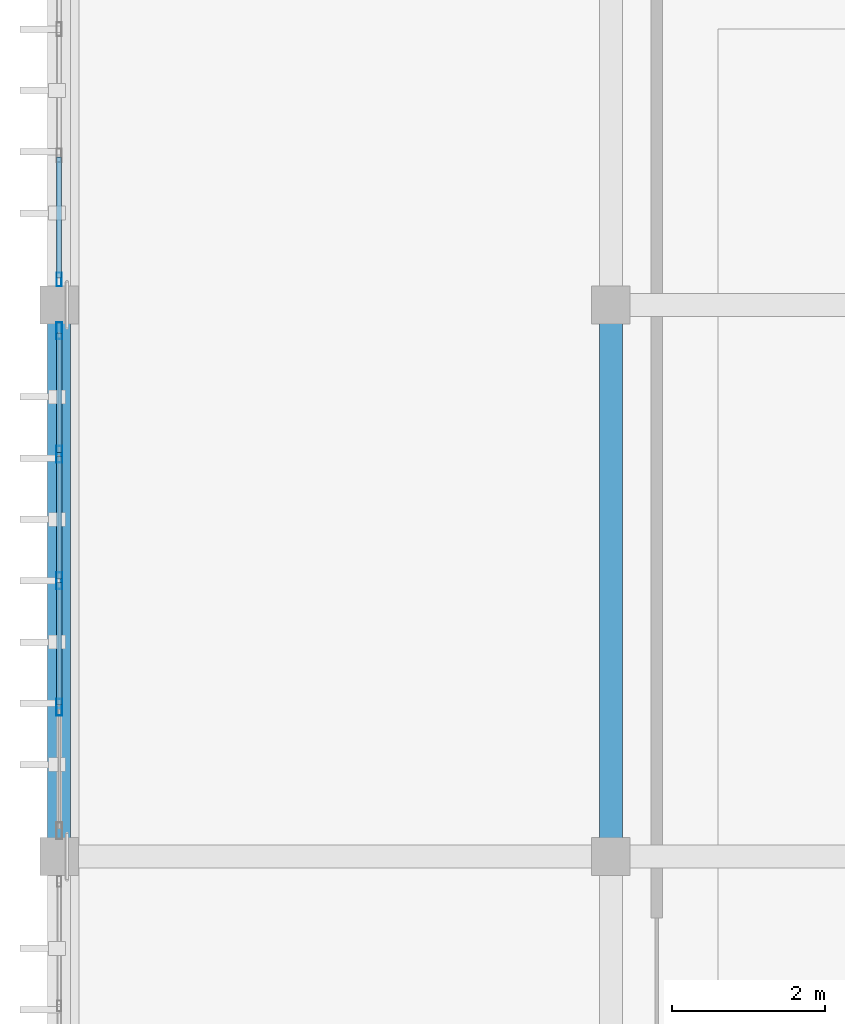
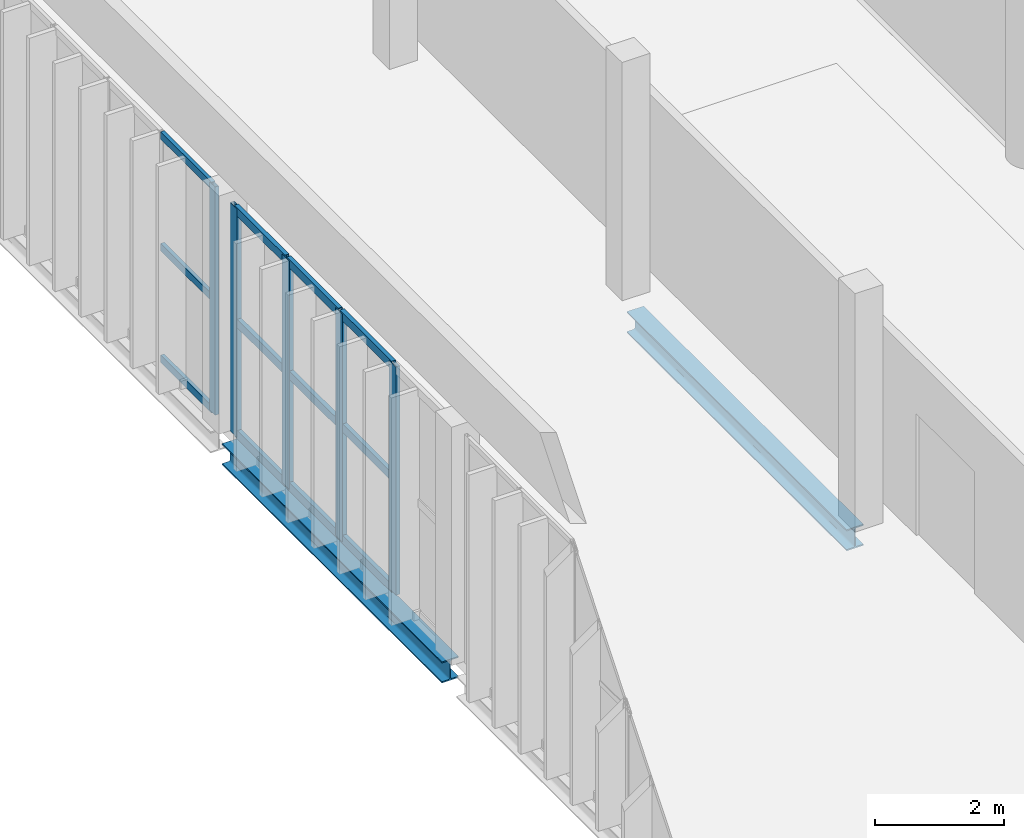
# One storey, part 21 of 64: 17 members, 2 beams, 2 elements without a shape of their own.
"""IFC4 building model written with IfcOpenShell, lengths in metres."""

from ifc_helpers import new_model, si_unit, direction, frame, origin, origin_2d, place, context, subcontext, project, spatial, hollow_rectangle, i_section, extrude, material, material_profile, profile_set, type_object, element, aggregate, save


model = new_model("IFC4")

# Units and contexts
model_context = context("Model", 3, precision=1e-05, world=origin(), true_north=direction((0.0, 1.0)))
body_context = subcontext(model_context, "Body", "Model", "MODEL_VIEW")
ifc_project = project(units=[si_unit("LENGTHUNIT", "METRE"), si_unit("AREAUNIT", "SQUARE_METRE"), si_unit("VOLUMEUNIT", "CUBIC_METRE"), si_unit("PLANEANGLEUNIT", "RADIAN"), si_unit("MASSUNIT", "GRAM", prefix="KILO")], contexts=[model_context])

# Site, building, storey
site_placement = place(None, origin())
site = spatial("IfcSite", under=ifc_project, at=site_placement, CompositionType="ELEMENT")
building_placement = place(site_placement, origin())
building = spatial("IfcBuilding", under=site, at=building_placement, Name="Qandorah Velis Arena", CompositionType="ELEMENT")
storey_placement = place(building_placement, frame((0.0, 0.0, 23.0)))
storey = spatial("IfcBuildingStorey", under=building, at=storey_placement, Name="L05", CompositionType="ELEMENT", Elevation=23.0)

# Curtain wall, member
ifc_material_1 = material(Name="Solar-control low-E double glazing", Category="glass")
curtain_wall_type_1 = type_object("IfcCurtainWallType", Name="ARC-CW-SYS02", PredefinedType="USERDEFINED", material=ifc_material_1)
curtain_wall_1_placement = place(storey_placement, origin())
curtain_wall_1 = element("IfcCurtainWall", 1, at=curtain_wall_1_placement, inside=storey, type_object=curtain_wall_type_1, Name="Unitised curtain wall L05-050", ObjectType="UNITISED CURTAIN WALL", PredefinedType="USERDEFINED")
ifc_material_2 = material(Name="Champagne-bronze anodized aluminium 6063-T6", Category="aluminium")
ifc_material_profile_1 = material_profile(ifc_material_2, hollow_rectangle(XDim=0.06494140625, YDim=0.179931640625, WallThickness=0.00341796875, at=origin_2d()), Name="ALU MULLION 65x180")
ifc_profile_set_1 = profile_set([ifc_material_profile_1], Name="Champagne-bronze anodized aluminium 6063-T6")
member_type_1 = type_object("IfcMemberType", Name="ARC-CWM-180", PredefinedType="MULLION", material=ifc_profile_set_1)
member_1_placement = place(storey_placement, frame((0.0, 86.732421875, -0.014892578125), z_axis=(0.0, 0.0, 1.0), x_axis=(-1.0, 0.0, 0.0)))
member_1 = element("IfcMember", 2, at=member_1_placement, type_object=member_type_1, Name="CW02 mullion 1", PredefinedType="MULLION", context=body_context, shape_type="SweptSolid", body=[
    extrude(hollow_rectangle(XDim=0.06494140625, YDim=0.179931640625, WallThickness=0.00341796875, at=origin_2d()), origin(), (0.0, 0.0, 1.0), 4.309814453125),
])

# Curtain wall, members
curtain_wall_type_2 = type_object("IfcCurtainWallType", Name="ARC-CW-SYS01", PredefinedType="USERDEFINED", material=ifc_material_1)
curtain_wall_2_placement = place(storey_placement, origin())
curtain_wall_2 = element("IfcCurtainWall", 3, at=curtain_wall_2_placement, inside=storey, type_object=curtain_wall_type_2, Name="Unitised curtain wall L05-049", ObjectType="UNITISED CURTAIN WALL", PredefinedType="USERDEFINED")
ifc_material_profile_2 = material_profile(ifc_material_2, hollow_rectangle(XDim=0.074951171875, YDim=0.219970703125, WallThickness=0.00390625, at=origin_2d()), Name="ALU MULLION 75x220")
ifc_profile_set_2 = profile_set([ifc_material_profile_2], Name="Champagne-bronze anodized aluminium 6063-T6")
member_type_2 = type_object("IfcMemberType", Name="ARC-CWM-220", PredefinedType="MULLION", material=ifc_profile_set_2)
member_2_placement = place(storey_placement, frame((0.0, 81.14990234375, -0.014892578125), z_axis=(0.0, 0.0, 1.0), x_axis=(-1.0, 0.0, 0.0)))
member_2 = element("IfcMember", 4, at=member_2_placement, type_object=member_type_2, Name="CW01 mullion 2", PredefinedType="MULLION", context=body_context, shape_type="SweptSolid", body=[
    extrude(hollow_rectangle(XDim=0.074951171875, YDim=0.219970703125, WallThickness=0.00390625, at=origin_2d()), origin(), (0.0, 0.0, 1.0), 4.309814453125),
])
member_3_placement = place(storey_placement, frame((0.0, 82.800048828125, -0.014892578125), z_axis=(0.0, 0.0, 1.0), x_axis=(-1.0, 0.0, 0.0)))
member_3 = element("IfcMember", 5, at=member_3_placement, type_object=member_type_2, Name="CW01 mullion 3", PredefinedType="MULLION", context=body_context, shape_type="SweptSolid", body=[
    extrude(hollow_rectangle(XDim=0.074951171875, YDim=0.219970703125, WallThickness=0.00390625, at=origin_2d()), origin(), (0.0, 0.0, 1.0), 4.309814453125),
])
member_4_placement = place(storey_placement, frame((0.0, 84.449951171875, -0.014892578125), z_axis=(0.0, 0.0, 1.0), x_axis=(-1.0, 0.0, 0.0)))
member_4 = element("IfcMember", 6, at=member_4_placement, type_object=member_type_2, Name="CW01 mullion 4", PredefinedType="MULLION", context=body_context, shape_type="SweptSolid", body=[
    extrude(hollow_rectangle(XDim=0.074951171875, YDim=0.219970703125, WallThickness=0.00390625, at=origin_2d()), origin(), (0.0, 0.0, 1.0), 4.309814453125),
])
member_5_placement = place(storey_placement, frame((0.0, 86.0625, -0.014892578125), z_axis=(0.0, 0.0, 1.0), x_axis=(-1.0, 0.0, 0.0)))
member_5 = element("IfcMember", 7, at=member_5_placement, type_object=member_type_2, Name="CW01 mullion 5", PredefinedType="MULLION", context=body_context, shape_type="SweptSolid", body=[
    extrude(hollow_rectangle(XDim=0.074951171875, YDim=0.219970703125, WallThickness=0.00390625, at=origin_2d()), origin(), (0.0, 0.0, 1.0), 4.309814453125),
])

# Member
ifc_material_profile_3 = material_profile(ifc_material_2, hollow_rectangle(XDim=0.06494140625, YDim=0.139892578125, WallThickness=0.0029296875, at=origin_2d()), Name="ALU TRANSOM 65x140")
ifc_profile_set_3 = profile_set([ifc_material_profile_3], Name="Champagne-bronze anodized aluminium 6063-T6")
member_type_3 = type_object("IfcMemberType", Name="ARC-CWT-140", PredefinedType="USERDEFINED", material=ifc_profile_set_3)
member_6_placement = place(storey_placement, frame((0.0, 86.7529296875, 0.032470703125), z_axis=(0.0, 1.0, 0.0), x_axis=(-1.0, 0.0, 0.0)))
member_6 = element("IfcMember", 8, at=member_6_placement, type_object=member_type_3, Name="CW02 transom 1.1", ObjectType="TRANSOM", PredefinedType="USERDEFINED", context=body_context, shape_type="SweptSolid", body=[
    extrude(hollow_rectangle(XDim=0.06494140625, YDim=0.139892578125, WallThickness=0.0029296875, at=origin_2d()), origin(), (0.0, 0.0, 1.0), 1.57666015625),
])

member_7_placement = place(storey_placement, frame((0.0, 86.7529296875, 2.139892578125), z_axis=(0.0, 1.0, 0.0), x_axis=(-1.0, 0.0, 0.0)))
member_7 = element("IfcMember", 9, at=member_7_placement, type_object=member_type_3, Name="CW02 transom 1.2", ObjectType="TRANSOM", PredefinedType="USERDEFINED", context=body_context, shape_type="SweptSolid", body=[
    extrude(hollow_rectangle(XDim=0.06494140625, YDim=0.139892578125, WallThickness=0.0029296875, at=origin_2d()), origin(), (0.0, 0.0, 1.0), 1.57666015625),
])

member_8_placement = place(storey_placement, frame((0.0, 86.7529296875, 4.24755859375), z_axis=(0.0, 1.0, 0.0), x_axis=(-1.0, 0.0, 0.0)))
member_8 = element("IfcMember", 10, at=member_8_placement, type_object=member_type_3, Name="CW02 transom 1.3", ObjectType="TRANSOM", PredefinedType="USERDEFINED", context=body_context, shape_type="SweptSolid", body=[
    extrude(hollow_rectangle(XDim=0.06494140625, YDim=0.139892578125, WallThickness=0.0029296875, at=origin_2d()), origin(), (0.0, 0.0, 1.0), 1.57666015625),
])

aggregate(curtain_wall_1, [member_1, member_6, member_7, member_8])

ifc_material_profile_4 = material_profile(ifc_material_2, hollow_rectangle(XDim=0.074951171875, YDim=0.159912109375, WallThickness=0.00341796875, at=origin_2d()), Name="ALU TRANSOM 75x160")
ifc_profile_set_4 = profile_set([ifc_material_profile_4], Name="Champagne-bronze anodized aluminium 6063-T6")
member_type_4 = type_object("IfcMemberType", Name="ARC-CWT-160", PredefinedType="USERDEFINED", material=ifc_profile_set_4)
member_9_placement = place(storey_placement, frame((0.0, 81.175537109375, 0.03759765625), z_axis=(0.0, 1.0, 0.0), x_axis=(-1.0, 0.0, 0.0)))
member_9 = element("IfcMember", 11, at=member_9_placement, type_object=member_type_4, Name="CW01 transom 2.1", ObjectType="TRANSOM", PredefinedType="USERDEFINED", context=body_context, shape_type="SweptSolid", body=[
    extrude(hollow_rectangle(XDim=0.074951171875, YDim=0.159912109375, WallThickness=0.00341796875, at=origin_2d()), origin(), (0.0, 0.0, 1.0), 1.598876953125),
])

member_10_placement = place(storey_placement, frame((0.0, 81.175537109375, 2.139892578125), z_axis=(0.0, 1.0, 0.0), x_axis=(-1.0, 0.0, 0.0)))
member_10 = element("IfcMember", 12, at=member_10_placement, type_object=member_type_4, Name="CW01 transom 2.2", ObjectType="TRANSOM", PredefinedType="USERDEFINED", context=body_context, shape_type="SweptSolid", body=[
    extrude(hollow_rectangle(XDim=0.074951171875, YDim=0.159912109375, WallThickness=0.00341796875, at=origin_2d()), origin(), (0.0, 0.0, 1.0), 1.598876953125),
])

member_11_placement = place(storey_placement, frame((0.0, 81.175537109375, 4.242431640625), z_axis=(0.0, 1.0, 0.0), x_axis=(-1.0, 0.0, 0.0)))
member_11 = element("IfcMember", 13, at=member_11_placement, type_object=member_type_4, Name="CW01 transom 2.3", ObjectType="TRANSOM", PredefinedType="USERDEFINED", context=body_context, shape_type="SweptSolid", body=[
    extrude(hollow_rectangle(XDim=0.074951171875, YDim=0.159912109375, WallThickness=0.00341796875, at=origin_2d()), origin(), (0.0, 0.0, 1.0), 1.598876953125),
])

member_12_placement = place(storey_placement, frame((0.0, 82.825439453125, 0.03759765625), z_axis=(0.0, 1.0, 0.0), x_axis=(-1.0, 0.0, 0.0)))
member_12 = element("IfcMember", 14, at=member_12_placement, type_object=member_type_4, Name="CW01 transom 3.1", ObjectType="TRANSOM", PredefinedType="USERDEFINED", context=body_context, shape_type="SweptSolid", body=[
    extrude(hollow_rectangle(XDim=0.074951171875, YDim=0.159912109375, WallThickness=0.00341796875, at=origin_2d()), origin(), (0.0, 0.0, 1.0), 1.59912109375),
])

member_13_placement = place(storey_placement, frame((0.0, 82.825439453125, 2.139892578125), z_axis=(0.0, 1.0, 0.0), x_axis=(-1.0, 0.0, 0.0)))
member_13 = element("IfcMember", 15, at=member_13_placement, type_object=member_type_4, Name="CW01 transom 3.2", ObjectType="TRANSOM", PredefinedType="USERDEFINED", context=body_context, shape_type="SweptSolid", body=[
    extrude(hollow_rectangle(XDim=0.074951171875, YDim=0.159912109375, WallThickness=0.00341796875, at=origin_2d()), origin(), (0.0, 0.0, 1.0), 1.59912109375),
])

member_14_placement = place(storey_placement, frame((0.0, 82.825439453125, 4.242431640625), z_axis=(0.0, 1.0, 0.0), x_axis=(-1.0, 0.0, 0.0)))
member_14 = element("IfcMember", 16, at=member_14_placement, type_object=member_type_4, Name="CW01 transom 3.3", ObjectType="TRANSOM", PredefinedType="USERDEFINED", context=body_context, shape_type="SweptSolid", body=[
    extrude(hollow_rectangle(XDim=0.074951171875, YDim=0.159912109375, WallThickness=0.00341796875, at=origin_2d()), origin(), (0.0, 0.0, 1.0), 1.59912109375),
])

member_15_placement = place(storey_placement, frame((0.0, 84.4755859375, 0.03759765625), z_axis=(0.0, 1.0, 0.0), x_axis=(-1.0, 0.0, 0.0)))
member_15 = element("IfcMember", 17, at=member_15_placement, type_object=member_type_4, Name="CW01 transom 4.1", ObjectType="TRANSOM", PredefinedType="USERDEFINED", context=body_context, shape_type="SweptSolid", body=[
    extrude(hollow_rectangle(XDim=0.074951171875, YDim=0.159912109375, WallThickness=0.00341796875, at=origin_2d()), origin(), (0.0, 0.0, 1.0), 1.5615234375),
])

member_16_placement = place(storey_placement, frame((0.0, 84.4755859375, 2.139892578125), z_axis=(0.0, 1.0, 0.0), x_axis=(-1.0, 0.0, 0.0)))
member_16 = element("IfcMember", 18, at=member_16_placement, type_object=member_type_4, Name="CW01 transom 4.2", ObjectType="TRANSOM", PredefinedType="USERDEFINED", context=body_context, shape_type="SweptSolid", body=[
    extrude(hollow_rectangle(XDim=0.074951171875, YDim=0.159912109375, WallThickness=0.00341796875, at=origin_2d()), origin(), (0.0, 0.0, 1.0), 1.5615234375),
])

member_17_placement = place(storey_placement, frame((0.0, 84.4755859375, 4.242431640625), z_axis=(0.0, 1.0, 0.0), x_axis=(-1.0, 0.0, 0.0)))
member_17 = element("IfcMember", 19, at=member_17_placement, type_object=member_type_4, Name="CW01 transom 4.3", ObjectType="TRANSOM", PredefinedType="USERDEFINED", context=body_context, shape_type="SweptSolid", body=[
    extrude(hollow_rectangle(XDim=0.074951171875, YDim=0.159912109375, WallThickness=0.00341796875, at=origin_2d()), origin(), (0.0, 0.0, 1.0), 1.5615234375),
])

aggregate(curtain_wall_2, [member_2, member_3, member_4, member_5, member_9, member_10, member_11, member_12, member_13, member_14, member_15, member_16, member_17])

# Beams
ifc_material_3 = material(Name="Steel S355", Category="steel")
ifc_material_profile_5 = material_profile(ifc_material_3, i_section(OverallWidth=0.300048828125, OverallDepth=0.39990234375, WebThickness=0.013427734375, FlangeThickness=0.02392578125, FilletRadius=0.027099609375, at=origin_2d()), Name="HEB 400")
ifc_profile_set_5 = profile_set([ifc_material_profile_5], Name="Steel S355")
beam_type = type_object("IfcBeamType", Name="STR-BM-HEB400", PredefinedType="BEAM", material=ifc_profile_set_5)
beam_1_placement = place(storey_placement, frame((0.0, 79.425048828125, -0.449951171875), z_axis=(0.0, 1.0, 0.0), x_axis=(-1.0, 0.0, 0.0)))
element("IfcBeam", 20, at=beam_1_placement, inside=storey, type_object=beam_type, Name="Primary floor girder L05 Y-122", PredefinedType="BEAM", context=body_context, shape_type="SweptSolid", body=[
    extrude(i_section(OverallWidth=0.300048828125, OverallDepth=0.39990234375, WebThickness=0.013427734375, FlangeThickness=0.02392578125, FilletRadius=0.027099609375, at=origin_2d()), origin(), (0.0, 0.0, 1.0), 6.79638671875),
])
beam_2_placement = place(storey_placement, frame((7.199951171875, 79.37841796875, -0.449951171875), z_axis=(0.0, 1.0, 0.0), x_axis=(-1.0, 0.0, 0.0)))
element("IfcBeam", 21, at=beam_2_placement, inside=storey, type_object=beam_type, Name="Primary floor girder L05 Y-134", PredefinedType="BEAM", context=body_context, shape_type="SweptSolid", body=[
    extrude(i_section(OverallWidth=0.300048828125, OverallDepth=0.39990234375, WebThickness=0.013427734375, FlangeThickness=0.02392578125, FilletRadius=0.027099609375, at=origin_2d()), origin(), (0.0, 0.0, 1.0), 6.796630859375),
])

save(model, "model.ifc")
